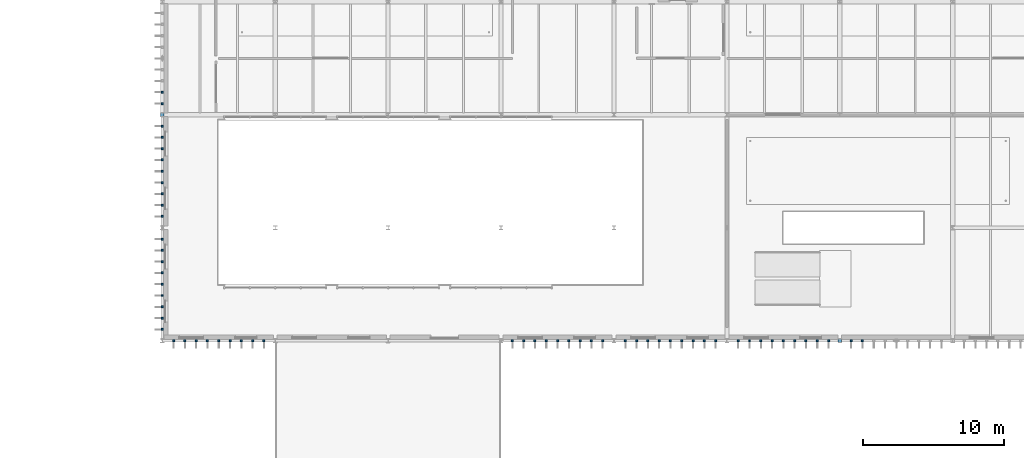
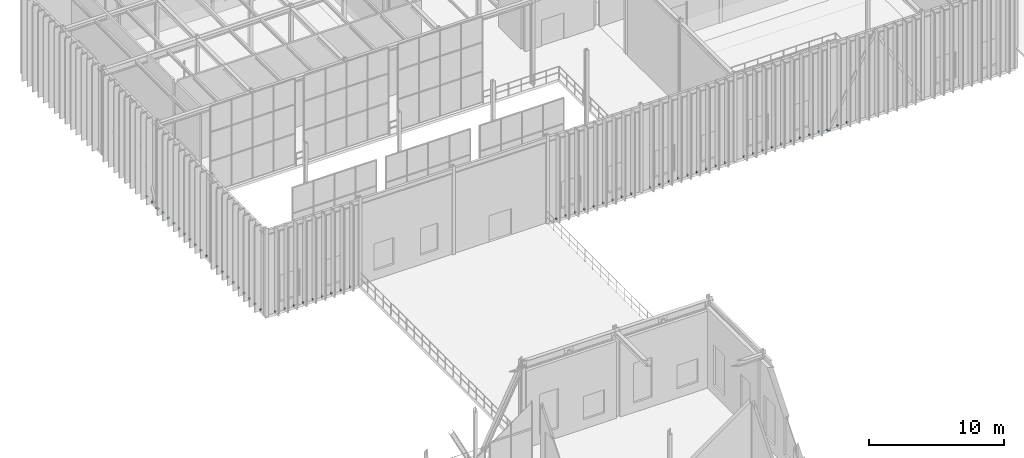
# One storey, part 119 of 138: 60 discrete accessories.
"""IFC4 building model written with IfcOpenShell, lengths in metres."""

from ifc_helpers import new_model, si_unit, direction, frame, origin, origin_2d, place, context, subcontext, project, spatial, rectangle, extrude, material, type_object, element, save


model = new_model("IFC4")

# Units and contexts
model_context = context("Model", 3, precision=1e-05, world=origin(), true_north=direction((0.0, 1.0)))
body_context = subcontext(model_context, "Body", "Model", "MODEL_VIEW")
ifc_project = project(units=[si_unit("LENGTHUNIT", "METRE"), si_unit("AREAUNIT", "SQUARE_METRE"), si_unit("VOLUMEUNIT", "CUBIC_METRE"), si_unit("PLANEANGLEUNIT", "RADIAN"), si_unit("MASSUNIT", "GRAM", prefix="KILO")], contexts=[model_context])

# Site, building, storey
site_placement = place(None, origin())
site = spatial("IfcSite", under=ifc_project, at=site_placement, CompositionType="ELEMENT")
building_placement = place(site_placement, origin())
building = spatial("IfcBuilding", under=site, at=building_placement, Name="Sundkrona Museum", CompositionType="ELEMENT")
storey_placement = place(building_placement, frame((0.0, 0.0, 9.60009765625)))
storey = spatial("IfcBuildingStorey", under=building, at=storey_placement, Name="L02", CompositionType="ELEMENT", Elevation=9.60009765625)

# Discrete accessories
ifc_material = material(Name="Stainless Steel EN 1.4404 Cleat", Category="steel")
discrete_accessory_type = type_object("IfcDiscreteAccessoryType", Name="BRK-FIN-01", PredefinedType="BRACKET", material=ifc_material)
for number, where, z_axis, x_axis, name in (
    (1, (64.0, 78.0, -0.012451171875), (0.0, 0.0, 1.0), (1.0, 0.0, 0.0), "Brace and Strut End Connection Plate BR-L02-021A-1"),
    (2, (16.0, 94.0, -0.012451171875), (0.0, 0.0, 1.0), (1.0, 0.0, 0.0), "Brace and Strut End Connection Plate BR-L02-023A-1"),
):
    element("IfcDiscreteAccessory", number, at=place(storey_placement, frame(where, z_axis=z_axis, x_axis=x_axis)), inside=storey, type_object=discrete_accessory_type, Name=name, PredefinedType="BRACKET", context=body_context, shape_type="SweptSolid", body=[
        extrude(rectangle(XDim=0.239990234375, YDim=0.239990234375, at=origin_2d()), origin(), (0.0, 0.0, 1.0), 0.02490234375),
    ])
for number, where, z_axis, x_axis, name in (
    (3, (16.800048828125, 78.0, 0.059814453125), (0.0, 0.0, 1.0), (1.0, 0.0, 0.0), "L02 Fin Bracket S-055"),
    (4, (17.60009765625, 78.0, 0.059814453125), (0.0, 0.0, 1.0), (1.0, 0.0, 0.0), "L02 Fin Bracket S-056"),
    (5, (18.39990234375, 78.0, 0.059814453125), (0.0, 0.0, 1.0), (1.0, 0.0, 0.0), "L02 Fin Bracket S-057"),
    (6, (19.199951171875, 78.0, 0.059814453125), (0.0, 0.0, 1.0), (1.0, 0.0, 0.0), "L02 Fin Bracket S-058"),
    (7, (20.0, 78.0, 0.059814453125), (0.0, 0.0, 1.0), (1.0, 0.0, 0.0), "L02 Fin Bracket S-059"),
    (8, (20.800048828125, 78.0, 0.059814453125), (0.0, 0.0, 1.0), (1.0, 0.0, 0.0), "L02 Fin Bracket S-060"),
    (9, (21.60009765625, 78.0, 0.059814453125), (0.0, 0.0, 1.0), (1.0, 0.0, 0.0), "L02 Fin Bracket S-061"),
    (10, (22.39990234375, 78.0, 0.059814453125), (0.0, 0.0, 1.0), (1.0, 0.0, 0.0), "L02 Fin Bracket S-062"),
    (11, (23.199951171875, 78.0, 0.059814453125), (0.0, 0.0, 1.0), (1.0, 0.0, 0.0), "L02 Fin Bracket S-063"),
    (12, (40.800048828125, 78.0, 0.059814453125), (0.0, 0.0, 1.0), (1.0, 0.0, 0.0), "L02 Fin Bracket S-064"),
    (13, (41.60009765625, 78.0, 0.059814453125), (0.0, 0.0, 1.0), (1.0, 0.0, 0.0), "L02 Fin Bracket S-065"),
    (14, (42.39990234375, 78.0, 0.059814453125), (0.0, 0.0, 1.0), (1.0, 0.0, 0.0), "L02 Fin Bracket S-066"),
    (15, (43.199951171875, 78.0, 0.059814453125), (0.0, 0.0, 1.0), (1.0, 0.0, 0.0), "L02 Fin Bracket S-067"),
    (16, (44.0, 78.0, 0.059814453125), (0.0, 0.0, 1.0), (1.0, 0.0, 0.0), "L02 Fin Bracket S-068"),
    (17, (44.800048828125, 78.0, 0.059814453125), (0.0, 0.0, 1.0), (1.0, 0.0, 0.0), "L02 Fin Bracket S-069"),
    (18, (45.60009765625, 78.0, 0.059814453125), (0.0, 0.0, 1.0), (1.0, 0.0, 0.0), "L02 Fin Bracket S-070"),
    (19, (46.39990234375, 78.0, 0.059814453125), (0.0, 0.0, 1.0), (1.0, 0.0, 0.0), "L02 Fin Bracket S-071"),
    (20, (47.199951171875, 78.0, 0.059814453125), (0.0, 0.0, 1.0), (1.0, 0.0, 0.0), "L02 Fin Bracket S-072"),
    (21, (48.800048828125, 78.0, 0.059814453125), (0.0, 0.0, 1.0), (1.0, 0.0, 0.0), "L02 Fin Bracket S-073"),
    (22, (49.60009765625, 78.0, 0.059814453125), (0.0, 0.0, 1.0), (1.0, 0.0, 0.0), "L02 Fin Bracket S-074"),
    (23, (50.39990234375, 78.0, 0.059814453125), (0.0, 0.0, 1.0), (1.0, 0.0, 0.0), "L02 Fin Bracket S-075"),
    (24, (51.199951171875, 78.0, 0.059814453125), (0.0, 0.0, 1.0), (1.0, 0.0, 0.0), "L02 Fin Bracket S-076"),
    (25, (52.0, 78.0, 0.059814453125), (0.0, 0.0, 1.0), (1.0, 0.0, 0.0), "L02 Fin Bracket S-077"),
    (26, (52.800048828125, 78.0, 0.059814453125), (0.0, 0.0, 1.0), (1.0, 0.0, 0.0), "L02 Fin Bracket S-078"),
    (27, (53.60009765625, 78.0, 0.059814453125), (0.0, 0.0, 1.0), (1.0, 0.0, 0.0), "L02 Fin Bracket S-079"),
    (28, (54.39990234375, 78.0, 0.059814453125), (0.0, 0.0, 1.0), (1.0, 0.0, 0.0), "L02 Fin Bracket S-080"),
    (29, (55.199951171875, 78.0, 0.059814453125), (0.0, 0.0, 1.0), (1.0, 0.0, 0.0), "L02 Fin Bracket S-081"),
    (30, (56.800048828125, 78.0, 0.059814453125), (0.0, 0.0, 1.0), (1.0, 0.0, 0.0), "L02 Fin Bracket S-082"),
    (31, (57.60009765625, 78.0, 0.059814453125), (0.0, 0.0, 1.0), (1.0, 0.0, 0.0), "L02 Fin Bracket S-083"),
    (32, (58.39990234375, 78.0, 0.059814453125), (0.0, 0.0, 1.0), (1.0, 0.0, 0.0), "L02 Fin Bracket S-084"),
    (33, (59.199951171875, 78.0, 0.059814453125), (0.0, 0.0, 1.0), (1.0, 0.0, 0.0), "L02 Fin Bracket S-085"),
    (34, (60.0, 78.0, 0.059814453125), (0.0, 0.0, 1.0), (1.0, 0.0, 0.0), "L02 Fin Bracket S-086"),
    (35, (60.800048828125, 78.0, 0.059814453125), (0.0, 0.0, 1.0), (1.0, 0.0, 0.0), "L02 Fin Bracket S-087"),
    (36, (61.60009765625, 78.0, 0.059814453125), (0.0, 0.0, 1.0), (1.0, 0.0, 0.0), "L02 Fin Bracket S-088"),
    (37, (62.39990234375, 78.0, 0.059814453125), (0.0, 0.0, 1.0), (1.0, 0.0, 0.0), "L02 Fin Bracket S-089"),
    (38, (63.199951171875, 78.0, 0.059814453125), (0.0, 0.0, 1.0), (1.0, 0.0, 0.0), "L02 Fin Bracket S-090"),
    (39, (64.800048828125, 78.0, 0.059814453125), (0.0, 0.0, 1.0), (1.0, 0.0, 0.0), "L02 Fin Bracket S-091"),
    (40, (65.60009765625, 78.0, 0.059814453125), (0.0, 0.0, 1.0), (1.0, 0.0, 0.0), "L02 Fin Bracket S-092"),
):
    element("IfcDiscreteAccessory", number, at=place(storey_placement, frame(where, z_axis=z_axis, x_axis=x_axis)), inside=storey, type_object=discrete_accessory_type, Name=name, PredefinedType="BRACKET", context=body_context, shape_type="SweptSolid", body=[
        extrude(rectangle(XDim=0.139892578125, YDim=0.159912109375, at=origin_2d()), origin(), (0.0, 0.0, 1.0), 0.1201171875),
    ])
for number, where, z_axis, x_axis, name in (
    (41, (16.0, 78.800048828125, 0.059814453125), (0.0, 0.0, 1.0), (1.0, 0.0, 0.0), "L02 Fin Bracket W-177"),
    (42, (16.0, 79.60009765625, 0.059814453125), (0.0, 0.0, 1.0), (1.0, 0.0, 0.0), "L02 Fin Bracket W-178"),
    (43, (16.0, 80.39990234375, 0.059814453125), (0.0, 0.0, 1.0), (1.0, 0.0, 0.0), "L02 Fin Bracket W-179"),
    (44, (16.0, 81.199951171875, 0.059814453125), (0.0, 0.0, 1.0), (1.0, 0.0, 0.0), "L02 Fin Bracket W-180"),
    (45, (16.0, 82.0, 0.059814453125), (0.0, 0.0, 1.0), (1.0, 0.0, 0.0), "L02 Fin Bracket W-181"),
    (46, (16.0, 82.800048828125, 0.059814453125), (0.0, 0.0, 1.0), (1.0, 0.0, 0.0), "L02 Fin Bracket W-182"),
    (47, (16.0, 83.60009765625, 0.059814453125), (0.0, 0.0, 1.0), (1.0, 0.0, 0.0), "L02 Fin Bracket W-183"),
    (48, (16.0, 84.39990234375, 0.059814453125), (0.0, 0.0, 1.0), (1.0, 0.0, 0.0), "L02 Fin Bracket W-184"),
    (49, (16.0, 85.199951171875, 0.059814453125), (0.0, 0.0, 1.0), (1.0, 0.0, 0.0), "L02 Fin Bracket W-185"),
    (50, (16.0, 86.800048828125, 0.059814453125), (0.0, 0.0, 1.0), (1.0, 0.0, 0.0), "L02 Fin Bracket W-186"),
    (51, (16.0, 87.60009765625, 0.059814453125), (0.0, 0.0, 1.0), (1.0, 0.0, 0.0), "L02 Fin Bracket W-187"),
    (52, (16.0, 88.39990234375, 0.059814453125), (0.0, 0.0, 1.0), (1.0, 0.0, 0.0), "L02 Fin Bracket W-188"),
    (53, (16.0, 89.199951171875, 0.059814453125), (0.0, 0.0, 1.0), (1.0, 0.0, 0.0), "L02 Fin Bracket W-189"),
    (54, (16.0, 90.0, 0.059814453125), (0.0, 0.0, 1.0), (1.0, 0.0, 0.0), "L02 Fin Bracket W-190"),
    (55, (16.0, 90.800048828125, 0.059814453125), (0.0, 0.0, 1.0), (1.0, 0.0, 0.0), "L02 Fin Bracket W-191"),
    (56, (16.0, 91.60009765625, 0.059814453125), (0.0, 0.0, 1.0), (1.0, 0.0, 0.0), "L02 Fin Bracket W-192"),
    (57, (16.0, 92.39990234375, 0.059814453125), (0.0, 0.0, 1.0), (1.0, 0.0, 0.0), "L02 Fin Bracket W-193"),
    (58, (16.0, 93.199951171875, 0.059814453125), (0.0, 0.0, 1.0), (1.0, 0.0, 0.0), "L02 Fin Bracket W-194"),
    (59, (16.0, 94.800048828125, 0.059814453125), (0.0, 0.0, 1.0), (1.0, 0.0, 0.0), "L02 Fin Bracket W-195"),
    (60, (16.0, 95.60009765625, 0.059814453125), (0.0, 0.0, 1.0), (1.0, 0.0, 0.0), "L02 Fin Bracket W-196"),
):
    element("IfcDiscreteAccessory", number, at=place(storey_placement, frame(where, z_axis=z_axis, x_axis=x_axis)), inside=storey, type_object=discrete_accessory_type, Name=name, PredefinedType="BRACKET", context=body_context, shape_type="SweptSolid", body=[
        extrude(rectangle(XDim=0.159912109375, YDim=0.139892578125, at=origin_2d()), origin(), (0.0, 0.0, 1.0), 0.1201171875),
    ])

save(model, "model.ifc")
